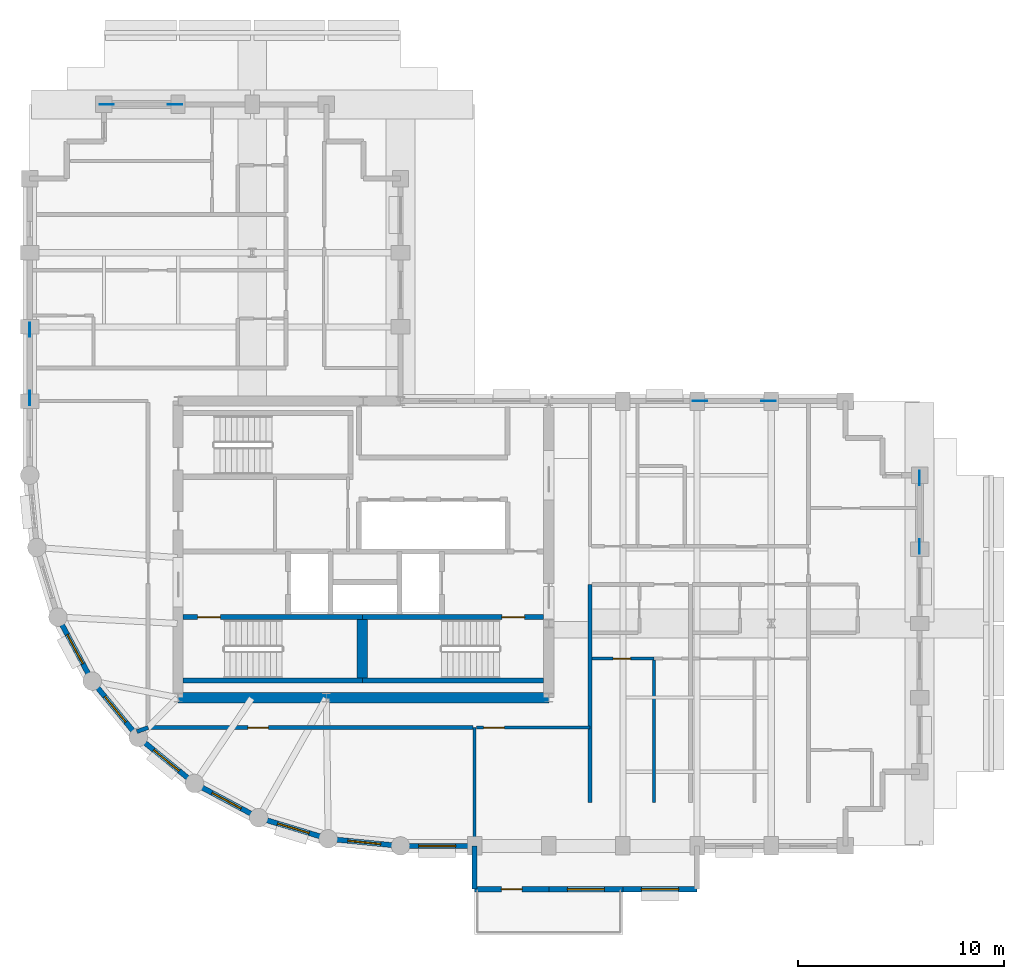
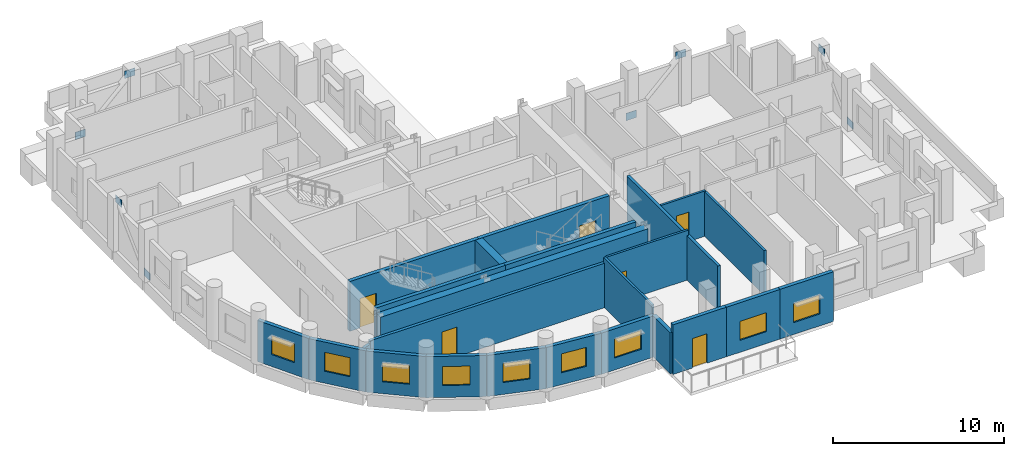
# One storey, part 3 of 10: 24 walls, 9 windows, 8 plates, 6 doors, 15 openings.
"""IFC4 building model written with IfcOpenShell, lengths in metres."""

from ifc_helpers import new_model, si_unit, direction, frame, frame_2d, origin, origin_2d, place, context, subcontext, project, spatial, rectangle, extrude, material, layer, layer_set, type_object, element, fill, save


model = new_model("IFC4")

# Units and contexts
model_context = context("Model", 3, precision=1e-05, world=origin(), true_north=direction((0.0, 1.0)))
body_context = subcontext(model_context, "Body", "Model", "MODEL_VIEW")
ifc_project = project(units=[si_unit("LENGTHUNIT", "METRE"), si_unit("AREAUNIT", "SQUARE_METRE"), si_unit("VOLUMEUNIT", "CUBIC_METRE"), si_unit("PLANEANGLEUNIT", "RADIAN"), si_unit("MASSUNIT", "GRAM", prefix="KILO")], contexts=[model_context])

# Site, building, storey
site_placement = place(None, origin())
site = spatial("IfcSite", under=ifc_project, at=site_placement, CompositionType="ELEMENT")
building_placement = place(site_placement, origin())
building = spatial("IfcBuilding", under=site, at=building_placement, Name="Solnavia Interchange Tower", CompositionType="ELEMENT")
storey_placement = place(building_placement, frame((0.0, 0.0, 174.800048828125)))
storey = spatial("IfcBuildingStorey", under=building, at=storey_placement, Name="L43", CompositionType="ELEMENT", Elevation=174.800048828125)

# Plates
ifc_material_1 = material(Name="Steel S460", Category="steel")
ifc_layer_1 = layer(ifc_material_1, 0.030029296875)
ifc_layer_set_1 = layer_set([ifc_layer_1], Name="Steel S460")
plate_type = type_object("IfcPlateType", Name="Plate-Gusset-700x520x30", PredefinedType="USERDEFINED", material=ifc_layer_set_1)
for number, where, z_axis, x_axis, name in (
    (1, (7.199951171875, 25.340087890625, -0.080078125), (0.0, 0.0, 1.0), (0.0, 1.0, 0.0), "PLT-L43-GP01 Perimeter brace gusset plate"),
    (2, (7.199951171875, 28.659912109375, 3.10986328125), (0.0, 0.0, 1.0), (0.0, 1.0, 0.0), "PLT-L43-GP02 Perimeter brace gusset plate"),
    (3, (50.39990234375, 18.139892578125, -0.080078125), (0.0, 0.0, 1.0), (0.0, 1.0, 0.0), "PLT-L43-GP03 Perimeter brace gusset plate"),
    (4, (50.39990234375, 21.4599609375, 3.10986328125), (0.0, 0.0, 1.0), (0.0, 1.0, 0.0), "PLT-L43-GP04 Perimeter brace gusset plate"),
    (5, (10.93994140625, 39.60009765625, -0.080078125), (0.0, 0.0, 1.0), (1.0, 0.0, 0.0), "PLT-L43-GP05 Perimeter brace gusset plate"),
    (6, (14.260009765625, 39.60009765625, 3.10986328125), (0.0, 0.0, 1.0), (1.0, 0.0, 0.0), "PLT-L43-GP06 Perimeter brace gusset plate"),
    (7, (39.739990234375, 25.199951171875, -0.080078125), (0.0, 0.0, 1.0), (1.0, 0.0, 0.0), "PLT-L43-GP07 Perimeter brace gusset plate"),
    (8, (43.06005859375, 25.199951171875, 3.10986328125), (0.0, 0.0, 1.0), (1.0, 0.0, 0.0), "PLT-L43-GP08 Perimeter brace gusset plate"),
):
    element("IfcPlate", number, at=place(storey_placement, frame(where, z_axis=z_axis, x_axis=x_axis)), inside=storey, type_object=plate_type, Name=name, ObjectType="GUSSET PLATE", PredefinedType="USERDEFINED", context=body_context, shape_type="SweptSolid", body=[
        extrude(rectangle(XDim=0.699951171875, YDim=0.030029296875, at=origin_2d()), origin(), (0.0, 0.0, 1.0), 0.52001953125),
    ])

# Wall
ifc_material_2 = material(Name="Gypsum Acoustic Twin-Stud & Mineral Wool", Category="gypsum")
ifc_layer_2 = layer(ifc_material_2, 0.199951171875)
ifc_layer_set_2 = layer_set([ifc_layer_2], Name="Gypsum Acoustic Twin-Stud & Mineral Wool")
wall_type_1 = type_object("IfcWallType", Name="Wall-ApartmentParty-200", PredefinedType="PARTITIONING", material=ifc_layer_set_2)
wall_1_placement = place(storey_placement, frame((12.949951171875, 9.35009765625, 0.0), z_axis=(0.0, 0.0, 1.0), x_axis=(-0.939585793139, -0.342313507376, 0.0)))
element("IfcWall", 9, at=wall_1_placement, inside=storey, type_object=wall_type_1, Name="PTW-L43-09 Interior partition wall", PredefinedType="PARTITIONING", context=body_context, shape_type="SweptSolid", body=[
    extrude(rectangle(XDim=0.584228515625, YDim=0.199951171875, at=frame_2d((0.2919921875, 0.0))), origin(), (0.0, 0.0, 1.0), 2.929931640625),
])

# Wall, opening, door
wall_2_placement = place(storey_placement, frame((12.949951171875, 9.35009765625, 0.0), z_axis=(0.0, 0.0, 1.0), x_axis=(1.0, 0.0, 0.0)))
wall_2 = element("IfcWall", 10, at=wall_2_placement, inside=storey, type_object=wall_type_1, Name="PTW-L43-11 Interior partition wall", PredefinedType="PARTITIONING", context=body_context, shape_type="SweptSolid", body=[
    extrude(rectangle(XDim=15.77099609375, YDim=0.199951171875, at=frame_2d((7.885498046875, 0.0))), origin(), (0.0, 0.0, 1.0), 3.169921875),
])
opening_1_placement = place(wall_2_placement, frame((4.8359375, 0.0, 0.0)))
opening_1 = element("IfcOpeningElement", 11, at=opening_1_placement, cuts=wall_2, Name="Opening DR-07", PredefinedType="OPENING", context=body_context, shape_type="SweptSolid", body=[
    extrude(rectangle(XDim=1.0, YDim=2.10009765625, at=frame_2d((0.5, 1.050048828125))), frame((0.0, 0.10986328125, 0.0), z_axis=(0.0, -1.0, 0.0), x_axis=(1.0, 0.0, 0.0)), (0.0, 0.0, 1.0), 0.219970703125),
])
ifc_material_3 = material(Name="Timber & Acoustic Glazed Office Door", Category="wood")
door_type_1 = type_object("IfcDoorType", Name="Door-Office-1000x2100", OperationType="SINGLE_SWING_RIGHT", PredefinedType="DOOR", material=ifc_material_3)
door_1_placement = place(opening_1_placement, origin())
door_1 = element("IfcDoor", 12, at=door_1_placement, inside=storey, type_object=door_type_1, Name="DR-L43-04 Interior room door", OperationType="SINGLE_SWING_RIGHT", OverallHeight=2.10009765625, OverallWidth=1.0, PredefinedType="DOOR", context=body_context, shape_type="SweptSolid", body=[
    extrude(rectangle(XDim=1.0, YDim=2.10009765625, at=frame_2d((0.5, 1.050048828125))), frame((0.0, 0.02490234375, 0.0), z_axis=(0.0, -1.0, 0.0), x_axis=(1.0, 0.0, 0.0)), (0.0, 0.0, 1.0), 0.050048828125),
])
fill(opening_1, door_1)

# Wall
wall_3_placement = place(storey_placement, frame((34.39990234375, 5.699951171875, 0.0), z_axis=(0.0, 0.0, 1.0), x_axis=(0.0, 1.0, 0.0)))
element("IfcWall", 13, at=wall_3_placement, inside=storey, type_object=wall_type_1, Name="PTW-L43-13 Interior partition wall", PredefinedType="PARTITIONING", context=body_context, shape_type="SweptSolid", body=[
    extrude(rectangle(XDim=10.60009765625, YDim=0.199951171875, at=frame_2d((5.300048828125, 0.0))), origin(), (0.0, 0.0, 1.0), 3.169921875),
])

# Wall, opening, window
ifc_material_4 = material(Name="Concrete C40/50", Category="concrete")
ifc_layer_3 = layer(ifc_material_4, 0.25)
ifc_layer_set_3 = layer_set([ifc_layer_3], Name="Concrete C40/50")
wall_type_2 = type_object("IfcWallType", Name="Wall-ExtSpandrel-250", PredefinedType="STANDARD", material=ifc_layer_set_3)
wall_4_placement = place(storey_placement, frame((28.800048828125, 3.60009765625, 0.0), z_axis=(0.0, 0.0, 1.0), x_axis=(-1.0, 0.0, 0.0)))
wall_4 = element("IfcWall", 14, at=wall_4_placement, inside=storey, type_object=wall_type_2, Name="EXW-L43-01 Exterior precast spandrel wall", PredefinedType="STANDARD", context=body_context, shape_type="SweptSolid", body=[
    extrude(rectangle(XDim=3.60009765625, YDim=0.25, at=frame_2d((1.800048828125, 0.0))), origin(), (0.0, 0.0, 1.0), 2.929931640625),
])
opening_2_placement = place(wall_4_placement, frame((0.925048828125, 0.0, 0.85009765625)))
opening_2 = element("IfcOpeningElement", 15, at=opening_2_placement, cuts=wall_4, Name="Opening WIN-02", PredefinedType="OPENING", context=body_context, shape_type="SweptSolid", body=[
    extrude(rectangle(XDim=1.800048828125, YDim=1.35009765625, at=frame_2d((0.89990234375, 0.675048828125))), frame((0.0, 0.135009765625, 0.0), z_axis=(0.0, -1.0, 0.0), x_axis=(1.0, 0.0, 0.0)), (0.0, 0.0, 1.0), 0.27001953125),
])
ifc_material_5 = material(Name="Thermal-Break Aluminium & Low-E Glass", Category="aluminium")
window_type_1 = type_object("IfcWindowType", Name="Window-Ribbon-1800x1350", PartitioningType="SINGLE_PANEL", PredefinedType="WINDOW", material=ifc_material_5)
window_1_placement = place(opening_2_placement, origin())
window_1 = element("IfcWindow", 16, at=window_1_placement, inside=storey, type_object=window_type_1, Name="WIN-L43-01 Facade ribbon window", OverallHeight=1.35009765625, OverallWidth=1.800048828125, PartitioningType="SINGLE_PANEL", PredefinedType="WINDOW", context=body_context, shape_type="SweptSolid", body=[
    extrude(rectangle(XDim=1.800048828125, YDim=1.35009765625, at=frame_2d((0.89990234375, 0.675048828125))), frame((0.0, 0.030029296875, 0.0), z_axis=(0.0, -1.0, 0.0), x_axis=(1.0, 0.0, 0.0)), (0.0, 0.0, 1.0), 0.06005859375),
])
fill(opening_2, window_1)

# Wall
wall_5_placement = place(storey_placement, frame((28.800048828125, 3.60009765625, 0.0), z_axis=(0.0, 0.0, 1.0), x_axis=(0.0, -1.0, 0.0)))
element("IfcWall", 17, at=wall_5_placement, inside=storey, type_object=wall_type_2, Name="EXW-L43-02 Exterior precast spandrel wall", PredefinedType="STANDARD", context=body_context, shape_type="SweptSolid", body=[
    extrude(rectangle(XDim=2.10009765625, YDim=0.25, at=frame_2d((1.050048828125, 0.0))), origin(), (0.0, 0.0, 1.0), 2.929931640625),
])

# Wall, opening, door
wall_6_placement = place(storey_placement, frame((32.39990234375, 1.5, 0.0), z_axis=(0.0, 0.0, 1.0), x_axis=(-1.0, 0.0, 0.0)))
wall_6 = element("IfcWall", 18, at=wall_6_placement, inside=storey, type_object=wall_type_2, Name="EXW-L43-03 Exterior precast spandrel wall", PredefinedType="STANDARD", context=body_context, shape_type="SweptSolid", body=[
    extrude(rectangle(XDim=3.599853515625, YDim=0.25, at=frame_2d((1.7998046875, 0.0))), origin(), (0.0, 0.0, 1.0), 3.534912109375),
])
opening_3_placement = place(wall_6_placement, frame((1.300048828125, 0.0, 0.0)))
opening_3 = element("IfcOpeningElement", 19, at=opening_3_placement, cuts=wall_6, Name="Opening EXD-05", PredefinedType="OPENING", context=body_context, shape_type="SweptSolid", body=[
    extrude(rectangle(XDim=1.0, YDim=2.10009765625, at=frame_2d((0.5, 1.050048828125))), frame((0.0, 0.135009765625, 0.0), z_axis=(0.0, -1.0, 0.0), x_axis=(1.0, 0.0, 0.0)), (0.0, 0.0, 1.0), 0.27001953125),
])
ifc_material_6 = material(Name="Thermally Broken Aluminium & Laminated Glass", Category="aluminium")
door_type_2 = type_object("IfcDoorType", Name="Door-TerraceSingle-1000x2100", OperationType="SINGLE_SWING_LEFT", PredefinedType="DOOR", material=ifc_material_6)
door_2_placement = place(opening_3_placement, origin())
door_2 = element("IfcDoor", 20, at=door_2_placement, inside=storey, type_object=door_type_2, Name="EXD-L43-TER Spiral terrace glazed door", OperationType="SINGLE_SWING_LEFT", OverallHeight=2.10009765625, OverallWidth=1.0, PredefinedType="DOOR", context=body_context, shape_type="SweptSolid", body=[
    extrude(rectangle(XDim=1.0, YDim=2.10009765625, at=frame_2d((0.5, 1.050048828125))), frame((0.0, 0.02490234375, 0.0), z_axis=(0.0, -1.0, 0.0), x_axis=(1.0, 0.0, 0.0)), (0.0, 0.0, 1.0), 0.050048828125),
])
fill(opening_3, door_2)

# Wall, opening, window
wall_7_placement = place(storey_placement, frame((36.0, 1.5, 0.0), z_axis=(0.0, 0.0, 1.0), x_axis=(-1.0, 0.0, 0.0)))
wall_7 = element("IfcWall", 21, at=wall_7_placement, inside=storey, type_object=wall_type_2, Name="EXW-L43-04 Exterior precast spandrel wall", PredefinedType="STANDARD", context=body_context, shape_type="SweptSolid", body=[
    extrude(rectangle(XDim=3.60009765625, YDim=0.25, at=frame_2d((1.800048828125, 0.0))), origin(), (0.0, 0.0, 1.0), 3.534912109375),
])
opening_4_placement = place(wall_7_placement, frame((0.89990234375, 0.0, 0.85009765625)))
opening_4 = element("IfcOpeningElement", 22, at=opening_4_placement, cuts=wall_7, Name="Opening WIN-02", PredefinedType="OPENING", context=body_context, shape_type="SweptSolid", body=[
    extrude(rectangle(XDim=1.800048828125, YDim=1.35009765625, at=frame_2d((0.89990234375, 0.675048828125))), frame((0.0, 0.135009765625, 0.0), z_axis=(0.0, -1.0, 0.0), x_axis=(1.0, 0.0, 0.0)), (0.0, 0.0, 1.0), 0.27001953125),
])
window_2_placement = place(opening_4_placement, origin())
window_2 = element("IfcWindow", 23, at=window_2_placement, inside=storey, type_object=window_type_1, Name="WIN-L43-04 Facade ribbon window", OverallHeight=1.35009765625, OverallWidth=1.800048828125, PartitioningType="SINGLE_PANEL", PredefinedType="WINDOW", context=body_context, shape_type="SweptSolid", body=[
    extrude(rectangle(XDim=1.800048828125, YDim=1.35009765625, at=frame_2d((0.89990234375, 0.675048828125))), frame((0.0, 0.030029296875, 0.0), z_axis=(0.0, -1.0, 0.0), x_axis=(1.0, 0.0, 0.0)), (0.0, 0.0, 1.0), 0.06005859375),
])
fill(opening_4, window_2)

wall_8_placement = place(storey_placement, frame((39.60009765625, 1.5, 0.0), z_axis=(0.0, 0.0, 1.0), x_axis=(-1.0, 0.0, 0.0)))
wall_8 = element("IfcWall", 24, at=wall_8_placement, inside=storey, type_object=wall_type_2, Name="EXW-L43-05 Exterior precast spandrel wall", PredefinedType="STANDARD", context=body_context, shape_type="SweptSolid", body=[
    extrude(rectangle(XDim=3.60009765625, YDim=0.25, at=frame_2d((1.800048828125, 0.0))), origin(), (0.0, 0.0, 1.0), 3.534912109375),
])
opening_5_placement = place(wall_8_placement, frame((0.89990234375, 0.0, 0.85009765625)))
opening_5 = element("IfcOpeningElement", 25, at=opening_5_placement, cuts=wall_8, Name="Opening WIN-02", PredefinedType="OPENING", context=body_context, shape_type="SweptSolid", body=[
    extrude(rectangle(XDim=1.800048828125, YDim=1.35009765625, at=frame_2d((0.89990234375, 0.675048828125))), frame((0.0, 0.135009765625, 0.0), z_axis=(0.0, -1.0, 0.0), x_axis=(1.0, 0.0, 0.0)), (0.0, 0.0, 1.0), 0.27001953125),
])
window_3_placement = place(opening_5_placement, origin())
window_3 = element("IfcWindow", 26, at=window_3_placement, inside=storey, type_object=window_type_1, Name="WIN-L43-05 Facade ribbon window", OverallHeight=1.35009765625, OverallWidth=1.800048828125, PartitioningType="SINGLE_PANEL", PredefinedType="WINDOW", context=body_context, shape_type="SweptSolid", body=[
    extrude(rectangle(XDim=1.800048828125, YDim=1.35009765625, at=frame_2d((0.89990234375, 0.675048828125))), frame((0.0, 0.030029296875, 0.0), z_axis=(0.0, -1.0, 0.0), x_axis=(1.0, 0.0, 0.0)), (0.0, 0.0, 1.0), 0.06005859375),
])
fill(opening_5, window_3)

wall_9_placement = place(storey_placement, frame((10.23388671875, 11.60009765625, 0.0), z_axis=(0.0, 0.0, 1.0), x_axis=(-0.47151087309, 0.881860247748, 0.0)))
wall_9 = element("IfcWall", 27, at=wall_9_placement, inside=storey, type_object=wall_type_2, Name="EXW-L43-47 Exterior precast spandrel wall", PredefinedType="STANDARD", context=body_context, shape_type="SweptSolid", body=[
    extrude(rectangle(XDim=3.52880859375, YDim=0.25, at=frame_2d((1.764404296875, 0.0))), origin(), (0.0, 0.0, 1.0), 2.929931640625),
])
opening_6_placement = place(wall_9_placement, frame((0.964111328125, 0.0, 0.85009765625)))
opening_6 = element("IfcOpeningElement", 28, at=opening_6_placement, cuts=wall_9, Name="Opening WIN-04", PredefinedType="OPENING", context=body_context, shape_type="SweptSolid", body=[
    extrude(rectangle(XDim=1.60009765625, YDim=1.35009765625, at=frame_2d((0.800048828125, 0.675048828125))), frame((0.0, 0.135009765625, 0.0), z_axis=(0.0, -1.0, 0.0), x_axis=(1.0, 0.0, 0.0)), (0.0, 0.0, 1.0), 0.27001953125),
])
window_type_2 = type_object("IfcWindowType", Name="Window-Drum-1600x1350", PartitioningType="SINGLE_PANEL", PredefinedType="WINDOW", material=ifc_material_5)
window_4_placement = place(opening_6_placement, origin())
window_4 = element("IfcWindow", 29, at=window_4_placement, inside=storey, type_object=window_type_2, Name="WIN-L43-47 Facade ribbon window", OverallHeight=1.35009765625, OverallWidth=1.60009765625, PartitioningType="SINGLE_PANEL", PredefinedType="WINDOW", context=body_context, shape_type="SweptSolid", body=[
    extrude(rectangle(XDim=1.60009765625, YDim=1.35009765625, at=frame_2d((0.800048828125, 0.675048828125))), frame((0.0, 0.030029296875, 0.0), z_axis=(0.0, -1.0, 0.0), x_axis=(1.0, 0.0, 0.0)), (0.0, 0.0, 1.0), 0.06005859375),
])
fill(opening_6, window_4)

wall_10_placement = place(storey_placement, frame((12.471923828125, 8.8720703125, 0.0), z_axis=(0.0, 0.0, 1.0), x_axis=(-0.634258295121, 0.773121216285, 0.0)))
wall_10 = element("IfcWall", 30, at=wall_10_placement, inside=storey, type_object=wall_type_2, Name="EXW-L43-48 Exterior precast spandrel wall", PredefinedType="STANDARD", context=body_context, shape_type="SweptSolid", body=[
    extrude(rectangle(XDim=3.528564453125, YDim=0.25, at=frame_2d((1.76416015625, 0.0))), origin(), (0.0, 0.0, 1.0), 2.929931640625),
])
opening_7_placement = place(wall_10_placement, frame((0.964111328125, 0.0, 0.85009765625)))
opening_7 = element("IfcOpeningElement", 31, at=opening_7_placement, cuts=wall_10, Name="Opening WIN-04", PredefinedType="OPENING", context=body_context, shape_type="SweptSolid", body=[
    extrude(rectangle(XDim=1.60009765625, YDim=1.35009765625, at=frame_2d((0.800048828125, 0.675048828125))), frame((0.0, 0.135009765625, 0.0), z_axis=(0.0, -1.0, 0.0), x_axis=(1.0, 0.0, 0.0)), (0.0, 0.0, 1.0), 0.27001953125),
])
window_5_placement = place(opening_7_placement, origin())
window_5 = element("IfcWindow", 32, at=window_5_placement, inside=storey, type_object=window_type_2, Name="WIN-L43-48 Facade ribbon window", OverallHeight=1.35009765625, OverallWidth=1.60009765625, PartitioningType="SINGLE_PANEL", PredefinedType="WINDOW", context=body_context, shape_type="SweptSolid", body=[
    extrude(rectangle(XDim=1.60009765625, YDim=1.35009765625, at=frame_2d((0.800048828125, 0.675048828125))), frame((0.0, 0.030029296875, 0.0), z_axis=(0.0, -1.0, 0.0), x_axis=(1.0, 0.0, 0.0)), (0.0, 0.0, 1.0), 0.06005859375),
])
fill(opening_7, window_5)

wall_11_placement = place(storey_placement, frame((15.199951171875, 6.634033203125, 0.0), z_axis=(0.0, 0.0, 1.0), x_axis=(-0.773121216285, 0.634258295121, 0.0)))
wall_11 = element("IfcWall", 33, at=wall_11_placement, inside=storey, type_object=wall_type_2, Name="EXW-L43-49 Exterior precast spandrel wall", PredefinedType="STANDARD", context=body_context, shape_type="SweptSolid", body=[
    extrude(rectangle(XDim=3.528564453125, YDim=0.25, at=frame_2d((1.76416015625, 0.0))), origin(), (0.0, 0.0, 1.0), 2.929931640625),
])
opening_8_placement = place(wall_11_placement, frame((0.964111328125, 0.0, 0.85009765625)))
opening_8 = element("IfcOpeningElement", 34, at=opening_8_placement, cuts=wall_11, Name="Opening WIN-04", PredefinedType="OPENING", context=body_context, shape_type="SweptSolid", body=[
    extrude(rectangle(XDim=1.60009765625, YDim=1.35009765625, at=frame_2d((0.800048828125, 0.675048828125))), frame((0.0, 0.135009765625, 0.0), z_axis=(0.0, -1.0, 0.0), x_axis=(1.0, 0.0, 0.0)), (0.0, 0.0, 1.0), 0.27001953125),
])
window_6_placement = place(opening_8_placement, origin())
window_6 = element("IfcWindow", 35, at=window_6_placement, inside=storey, type_object=window_type_2, Name="WIN-L43-49 Facade ribbon window", OverallHeight=1.35009765625, OverallWidth=1.60009765625, PartitioningType="SINGLE_PANEL", PredefinedType="WINDOW", context=body_context, shape_type="SweptSolid", body=[
    extrude(rectangle(XDim=1.60009765625, YDim=1.35009765625, at=frame_2d((0.800048828125, 0.675048828125))), frame((0.0, 0.030029296875, 0.0), z_axis=(0.0, -1.0, 0.0), x_axis=(1.0, 0.0, 0.0)), (0.0, 0.0, 1.0), 0.06005859375),
])
fill(opening_8, window_6)

wall_12_placement = place(storey_placement, frame((18.31201171875, 4.969970703125, 0.0), z_axis=(0.0, 0.0, 1.0), x_axis=(-0.881846862014, 0.471535907389, 0.0)))
wall_12 = element("IfcWall", 36, at=wall_12_placement, inside=storey, type_object=wall_type_2, Name="EXW-L43-50 Exterior precast spandrel wall", PredefinedType="STANDARD", context=body_context, shape_type="SweptSolid", body=[
    extrude(rectangle(XDim=3.529052734375, YDim=0.25, at=frame_2d((1.7646484375, 0.0))), origin(), (0.0, 0.0, 1.0), 2.929931640625),
])
opening_9_placement = place(wall_12_placement, frame((0.964111328125, 0.0, 0.85009765625)))
opening_9 = element("IfcOpeningElement", 37, at=opening_9_placement, cuts=wall_12, Name="Opening WIN-04", PredefinedType="OPENING", context=body_context, shape_type="SweptSolid", body=[
    extrude(rectangle(XDim=1.60009765625, YDim=1.35009765625, at=frame_2d((0.800048828125, 0.675048828125))), frame((0.0, 0.135009765625, 0.0), z_axis=(0.0, -1.0, 0.0), x_axis=(1.0, 0.0, 0.0)), (0.0, 0.0, 1.0), 0.27001953125),
])
window_7_placement = place(opening_9_placement, origin())
window_7 = element("IfcWindow", 38, at=window_7_placement, inside=storey, type_object=window_type_2, Name="WIN-L43-50 Facade ribbon window", OverallHeight=1.35009765625, OverallWidth=1.60009765625, PartitioningType="SINGLE_PANEL", PredefinedType="WINDOW", context=body_context, shape_type="SweptSolid", body=[
    extrude(rectangle(XDim=1.60009765625, YDim=1.35009765625, at=frame_2d((0.800048828125, 0.675048828125))), frame((0.0, 0.030029296875, 0.0), z_axis=(0.0, -1.0, 0.0), x_axis=(1.0, 0.0, 0.0)), (0.0, 0.0, 1.0), 0.06005859375),
])
fill(opening_9, window_7)

wall_13_placement = place(storey_placement, frame((21.68798828125, 3.946044921875, 0.0), z_axis=(0.0, 0.0, 1.0), x_axis=(-0.956953367403, 0.290241714123, 0.0)))
wall_13 = element("IfcWall", 39, at=wall_13_placement, inside=storey, type_object=wall_type_2, Name="EXW-L43-51 Exterior precast spandrel wall", PredefinedType="STANDARD", context=body_context, shape_type="SweptSolid", body=[
    extrude(rectangle(XDim=3.52783203125, YDim=0.25, at=frame_2d((1.763916015625, 0.0))), origin(), (0.0, 0.0, 1.0), 2.929931640625),
])
opening_10_placement = place(wall_13_placement, frame((0.964111328125, 0.0, 0.85009765625)))
opening_10 = element("IfcOpeningElement", 40, at=opening_10_placement, cuts=wall_13, Name="Opening WIN-04", PredefinedType="OPENING", context=body_context, shape_type="SweptSolid", body=[
    extrude(rectangle(XDim=1.60009765625, YDim=1.35009765625, at=frame_2d((0.800048828125, 0.675048828125))), frame((0.0, 0.135009765625, 0.0), z_axis=(0.0, -1.0, 0.0), x_axis=(1.0, 0.0, 0.0)), (0.0, 0.0, 1.0), 0.27001953125),
])
window_8_placement = place(opening_10_placement, origin())
window_8 = element("IfcWindow", 41, at=window_8_placement, inside=storey, type_object=window_type_2, Name="WIN-L43-51 Facade ribbon window", OverallHeight=1.35009765625, OverallWidth=1.60009765625, PartitioningType="SINGLE_PANEL", PredefinedType="WINDOW", context=body_context, shape_type="SweptSolid", body=[
    extrude(rectangle(XDim=1.60009765625, YDim=1.35009765625, at=frame_2d((0.800048828125, 0.675048828125))), frame((0.0, 0.030029296875, 0.0), z_axis=(0.0, -1.0, 0.0), x_axis=(1.0, 0.0, 0.0)), (0.0, 0.0, 1.0), 0.06005859375),
])
fill(opening_10, window_8)

wall_14_placement = place(storey_placement, frame((25.199951171875, 3.60009765625, 0.0), z_axis=(0.0, 0.0, 1.0), x_axis=(-0.995183369056, 0.098030923459, 0.0)))
wall_14 = element("IfcWall", 42, at=wall_14_placement, inside=storey, type_object=wall_type_2, Name="EXW-L43-52 Exterior precast spandrel wall", PredefinedType="STANDARD", context=body_context, shape_type="SweptSolid", body=[
    extrude(rectangle(XDim=3.529052734375, YDim=0.25, at=frame_2d((1.7646484375, 0.0))), origin(), (0.0, 0.0, 1.0), 2.929931640625),
])
opening_11_placement = place(wall_14_placement, frame((0.965087890625, 0.0, 0.85009765625)))
opening_11 = element("IfcOpeningElement", 43, at=opening_11_placement, cuts=wall_14, Name="Opening WIN-04", PredefinedType="OPENING", context=body_context, shape_type="SweptSolid", body=[
    extrude(rectangle(XDim=1.60009765625, YDim=1.35009765625, at=frame_2d((0.800048828125, 0.675048828125))), frame((0.0, 0.135009765625, 0.0), z_axis=(0.0, -1.0, 0.0), x_axis=(1.0, 0.0, 0.0)), (0.0, 0.0, 1.0), 0.27001953125),
])
window_9_placement = place(opening_11_placement, origin())
window_9 = element("IfcWindow", 44, at=window_9_placement, inside=storey, type_object=window_type_2, Name="WIN-L43-52 Facade ribbon window", OverallHeight=1.35009765625, OverallWidth=1.60009765625, PartitioningType="SINGLE_PANEL", PredefinedType="WINDOW", context=body_context, shape_type="SweptSolid", body=[
    extrude(rectangle(XDim=1.60009765625, YDim=1.35009765625, at=frame_2d((0.800048828125, 0.675048828125))), frame((0.0, 0.030029296875, 0.0), z_axis=(0.0, -1.0, 0.0), x_axis=(1.0, 0.0, 0.0)), (0.0, 0.0, 1.0), 0.06005859375),
])
fill(opening_11, window_9)

# Wall
ifc_material_7 = material(Name="Gypsum Plasterboard & Steel Stud", Category="steel")
ifc_layer_4 = layer(ifc_material_7, 0.14990234375)
ifc_layer_set_4 = layer_set([ifc_layer_4], Name="Gypsum Plasterboard & Steel Stud")
wall_type_3 = type_object("IfcWallType", Name="Wall-Partition-150", PredefinedType="PARTITIONING", material=ifc_layer_set_4)
wall_15_placement = place(storey_placement, frame((28.800048828125, 9.35009765625, 0.0), z_axis=(0.0, 0.0, 1.0), x_axis=(0.0, -1.0, 0.0)))
element("IfcWall", 45, at=wall_15_placement, inside=storey, type_object=wall_type_3, Name="PTW-L43-08 Interior partition wall", PredefinedType="PARTITIONING", context=body_context, shape_type="SweptSolid", body=[
    extrude(rectangle(XDim=5.62109375, YDim=0.14990234375, at=frame_2d((2.810546875, 0.0))), origin(), (0.0, 0.0, 1.0), 3.534912109375),
])

# Wall, opening, door
wall_16_placement = place(storey_placement, frame((28.87890625, 9.35009765625, 0.0), z_axis=(0.0, 0.0, 1.0), x_axis=(1.0, 0.0, 0.0)))
wall_16 = element("IfcWall", 46, at=wall_16_placement, inside=storey, type_object=wall_type_3, Name="PTW-L43-12 Interior partition wall", PredefinedType="PARTITIONING", context=body_context, shape_type="SweptSolid", body=[
    extrude(rectangle(XDim=5.52099609375, YDim=0.14990234375, at=frame_2d((2.760498046875, 0.0))), origin(), (0.0, 0.0, 1.0), 3.534912109375),
])
opening_12_placement = place(wall_16_placement, frame((0.360107421875, 0.0, 0.0)))
opening_12 = element("IfcOpeningElement", 47, at=opening_12_placement, cuts=wall_16, Name="Opening DR-07", PredefinedType="OPENING", context=body_context, shape_type="SweptSolid", body=[
    extrude(rectangle(XDim=1.0, YDim=2.10009765625, at=frame_2d((0.5, 1.050048828125))), frame((0.0, 0.0849609375, 0.0), z_axis=(0.0, -1.0, 0.0), x_axis=(1.0, 0.0, 0.0)), (0.0, 0.0, 1.0), 0.169921875),
])
door_3_placement = place(opening_12_placement, origin())
door_3 = element("IfcDoor", 48, at=door_3_placement, inside=storey, type_object=door_type_1, Name="DR-L43-05 Interior room door", OperationType="SINGLE_SWING_LEFT", OverallHeight=2.10009765625, OverallWidth=1.0, PredefinedType="DOOR", context=body_context, shape_type="SweptSolid", body=[
    extrude(rectangle(XDim=1.0, YDim=2.10009765625, at=frame_2d((0.5, 1.050048828125))), frame((0.0, 0.02490234375, 0.0), z_axis=(0.0, -1.0, 0.0), x_axis=(1.0, 0.0, 0.0)), (0.0, 0.0, 1.0), 0.050048828125),
])
fill(opening_12, door_3)

# Wall
ifc_layer_5 = layer(ifc_material_4, 0.25)
ifc_layer_set_5 = layer_set([ifc_layer_5], Name="Concrete C40/50")
wall_type_4 = type_object("IfcWallType", Name="Wall-ShaftCore-250", PredefinedType="SHEAR", material=ifc_layer_set_5)
wall_17_placement = place(storey_placement, frame((14.64990234375, 11.625, 0.0), z_axis=(0.0, 0.0, 1.0), x_axis=(1.0, 0.0, 0.0)))
element("IfcWall", 49, at=wall_17_placement, inside=storey, type_object=wall_type_4, Name="SHW-L43-ST1S Core shear wall", PredefinedType="SHEAR", context=body_context, shape_type="SweptSolid", body=[
    extrude(rectangle(XDim=8.7001953125, YDim=0.25, at=frame_2d((4.35009765625, 0.0))), origin(), (0.0, 0.0, 1.0), 3.550048828125),
])

# Wall, opening, door
wall_18_placement = place(storey_placement, frame((14.64990234375, 14.715087890625, 0.0), z_axis=(0.0, 0.0, 1.0), x_axis=(1.0, 0.0, 0.0)))
wall_18 = element("IfcWall", 50, at=wall_18_placement, inside=storey, type_object=wall_type_4, Name="SHW-L43-ST1N Core shear wall", PredefinedType="SHEAR", context=body_context, shape_type="SweptSolid", body=[
    extrude(rectangle(XDim=8.7001953125, YDim=0.25, at=frame_2d((4.35009765625, 0.0))), origin(), (0.0, 0.0, 1.0), 3.550048828125),
])
opening_13_placement = place(wall_18_placement, frame((0.705078125, 0.0, 0.0)))
opening_13 = element("IfcOpeningElement", 51, at=opening_13_placement, cuts=wall_18, Name="Opening DR-01", PredefinedType="OPENING", context=body_context, shape_type="SweptSolid", body=[
    extrude(rectangle(XDim=1.10009765625, YDim=2.10009765625, at=frame_2d((0.550048828125, 1.050048828125))), frame((0.0, 0.135009765625, 0.0), z_axis=(0.0, -1.0, 0.0), x_axis=(1.0, 0.0, 0.0)), (0.0, 0.0, 1.0), 0.27001953125),
])
ifc_material_8 = material(Name="Steel Fire-Rated Leaf & Frame", Category="steel")
door_type_3 = type_object("IfcDoorType", Name="Door-StairFire-1100x2100", OperationType="SINGLE_SWING_LEFT", PredefinedType="DOOR", material=ifc_material_8)
door_4_placement = place(opening_13_placement, origin())
door_4 = element("IfcDoor", 52, at=door_4_placement, inside=storey, type_object=door_type_3, Name="DR-L43-ST1 Core fire door", OperationType="SINGLE_SWING_LEFT", OverallHeight=2.10009765625, OverallWidth=1.10009765625, PredefinedType="DOOR", context=body_context, shape_type="SweptSolid", body=[
    extrude(rectangle(XDim=1.10009765625, YDim=2.10009765625, at=frame_2d((0.550048828125, 1.050048828125))), frame((0.0, 0.02490234375, 0.0), z_axis=(0.0, -1.0, 0.0), x_axis=(1.0, 0.0, 0.0)), (0.0, 0.0, 1.0), 0.050048828125),
])
fill(opening_13, door_4)

# Wall
wall_19_placement = place(storey_placement, frame((23.35009765625, 11.625, 0.0), z_axis=(0.0, 0.0, 1.0), x_axis=(1.0, 0.0, 0.0)))
element("IfcWall", 53, at=wall_19_placement, inside=storey, type_object=wall_type_4, Name="SHW-L43-ST2S Core shear wall", PredefinedType="SHEAR", context=body_context, shape_type="SweptSolid", body=[
    extrude(rectangle(XDim=8.7998046875, YDim=0.25, at=frame_2d((4.39990234375, 0.0))), origin(), (0.0, 0.0, 1.0), 3.550048828125),
])

# Wall, opening, door
wall_20_placement = place(storey_placement, frame((23.35009765625, 14.715087890625, 0.0), z_axis=(0.0, 0.0, 1.0), x_axis=(1.0, 0.0, 0.0)))
wall_20 = element("IfcWall", 54, at=wall_20_placement, inside=storey, type_object=wall_type_4, Name="SHW-L43-ST2N Core shear wall", PredefinedType="SHEAR", context=body_context, shape_type="SweptSolid", body=[
    extrude(rectangle(XDim=8.7998046875, YDim=0.25, at=frame_2d((4.39990234375, 0.0))), origin(), (0.0, 0.0, 1.0), 3.550048828125),
])
opening_14_placement = place(wall_20_placement, frame((6.77490234375, 0.0, 0.0)))
opening_14 = element("IfcOpeningElement", 55, at=opening_14_placement, cuts=wall_20, Name="Opening DR-01", PredefinedType="OPENING", context=body_context, shape_type="SweptSolid", body=[
    extrude(rectangle(XDim=1.10009765625, YDim=2.10009765625, at=frame_2d((0.550048828125, 1.050048828125))), frame((0.0, 0.135009765625, 0.0), z_axis=(0.0, -1.0, 0.0), x_axis=(1.0, 0.0, 0.0)), (0.0, 0.0, 1.0), 0.27001953125),
])
door_5_placement = place(opening_14_placement, origin())
door_5 = element("IfcDoor", 56, at=door_5_placement, inside=storey, type_object=door_type_3, Name="DR-L43-ST2 Core fire door", OperationType="SINGLE_SWING_LEFT", OverallHeight=2.10009765625, OverallWidth=1.10009765625, PredefinedType="DOOR", context=body_context, shape_type="SweptSolid", body=[
    extrude(rectangle(XDim=1.10009765625, YDim=2.10009765625, at=frame_2d((0.550048828125, 1.050048828125))), frame((0.0, 0.02490234375, 0.0), z_axis=(0.0, -1.0, 0.0), x_axis=(1.0, 0.0, 0.0)), (0.0, 0.0, 1.0), 0.050048828125),
])
fill(opening_14, door_5)

# Walls
ifc_material_9 = material(Name="Concrete C60/75", Category="concrete")
ifc_layer_6 = layer(ifc_material_9, 0.5)
ifc_layer_set_6 = layer_set([ifc_layer_6], Name="Concrete C60/75")
wall_type_5 = type_object("IfcWallType", Name="Wall-ShearCore-500", PredefinedType="SHEAR", material=ifc_layer_set_6)
wall_21_placement = place(storey_placement, frame((14.39990234375, 10.800048828125, 0.0), z_axis=(0.0, 0.0, 1.0), x_axis=(1.0, 0.0, 0.0)))
element("IfcWall", 57, at=wall_21_placement, inside=storey, type_object=wall_type_5, Name="CRW-L43-S Core shear wall", PredefinedType="SHEAR", context=body_context, shape_type="SweptSolid", body=[
    extrude(rectangle(XDim=18.0, YDim=0.5, at=frame_2d((9.0, 0.0))), origin(), (0.0, 0.0, 1.0), 3.550048828125),
])
wall_22_placement = place(storey_placement, frame((23.35009765625, 11.75, 0.0), z_axis=(0.0, 0.0, 1.0), x_axis=(0.0, 1.0, 0.0)))
element("IfcWall", 58, at=wall_22_placement, inside=storey, type_object=wall_type_5, Name="SHW-L43-ST12M Core shear wall", PredefinedType="SHEAR", context=body_context, shape_type="SweptSolid", body=[
    extrude(rectangle(XDim=2.840087890625, YDim=0.5, at=frame_2d((1.419921875, 0.0))), origin(), (0.0, 0.0, 1.0), 3.550048828125),
])

# Wall, opening, door
ifc_material_10 = material(Name="Moisture-Resistant Gypsum & Steel Stud", Category="steel")
ifc_layer_7 = layer(ifc_material_10, 0.14990234375)
ifc_layer_set_7 = layer_set([ifc_layer_7], Name="Moisture-Resistant Gypsum & Steel Stud")
wall_type_6 = type_object("IfcWallType", Name="Wall-WetRoom-150", PredefinedType="PARTITIONING", material=ifc_layer_set_7)
wall_23_placement = place(storey_placement, frame((34.50390625, 12.699951171875, 0.0), z_axis=(0.0, 0.0, 1.0), x_axis=(1.0, 0.0, 0.0)))
wall_23 = element("IfcWall", 59, at=wall_23_placement, inside=storey, type_object=wall_type_6, Name="PTW-L43-20 Interior partition wall", PredefinedType="PARTITIONING", context=body_context, shape_type="SweptSolid", body=[
    extrude(rectangle(XDim=2.99609375, YDim=0.14990234375, at=frame_2d((1.498046875, 0.0))), origin(), (0.0, 0.0, 1.0), 3.219970703125),
])
opening_15_placement = place(wall_23_placement, frame((1.02099609375, 0.0, 0.0)))
opening_15 = element("IfcOpeningElement", 60, at=opening_15_placement, cuts=wall_23, Name="Opening DR-10", PredefinedType="OPENING", context=body_context, shape_type="SweptSolid", body=[
    extrude(rectangle(XDim=0.85009765625, YDim=2.10009765625, at=frame_2d((0.425048828125, 1.050048828125))), frame((0.0, 0.0849609375, 0.0), z_axis=(0.0, -1.0, 0.0), x_axis=(1.0, 0.0, 0.0)), (0.0, 0.0, 1.0), 0.169921875),
])
ifc_material_11 = material(Name="Moisture-Resistant Timber Door", Category="wood")
door_type_4 = type_object("IfcDoorType", Name="Door-Bathroom-850x2100", OperationType="SINGLE_SWING_RIGHT", PredefinedType="DOOR", material=ifc_material_11)
door_6_placement = place(opening_15_placement, origin())
door_6 = element("IfcDoor", 61, at=door_6_placement, inside=storey, type_object=door_type_4, Name="DR-L43-09 Interior room door", OperationType="SINGLE_SWING_LEFT", OverallHeight=2.10009765625, OverallWidth=0.85009765625, PredefinedType="DOOR", context=body_context, shape_type="SweptSolid", body=[
    extrude(rectangle(XDim=0.85009765625, YDim=2.10009765625, at=frame_2d((0.425048828125, 1.050048828125))), frame((0.0, 0.02490234375, 0.0), z_axis=(0.0, -1.0, 0.0), x_axis=(1.0, 0.0, 0.0)), (0.0, 0.0, 1.0), 0.050048828125),
])
fill(opening_15, door_6)

# Wall
wall_24_placement = place(storey_placement, frame((37.5, 5.699951171875, 0.0), z_axis=(0.0, 0.0, 1.0), x_axis=(0.0, 1.0, 0.0)))
element("IfcWall", 62, at=wall_24_placement, inside=storey, type_object=wall_type_6, Name="PTW-L43-21 Interior partition wall", PredefinedType="PARTITIONING", context=body_context, shape_type="SweptSolid", body=[
    extrude(rectangle(XDim=6.921142578125, YDim=0.14990234375, at=frame_2d((3.46044921875, 0.0))), origin(), (0.0, 0.0, 1.0), 3.169921875),
])

save(model, "model.ifc")
